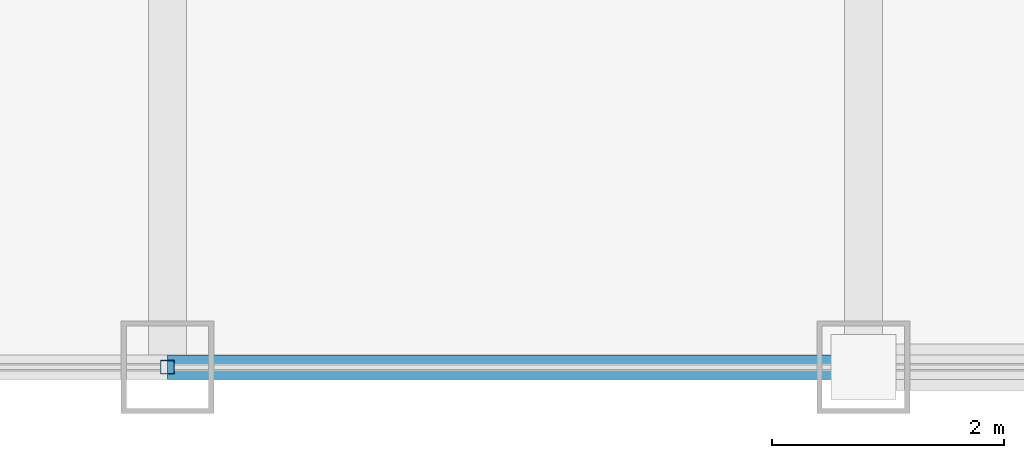
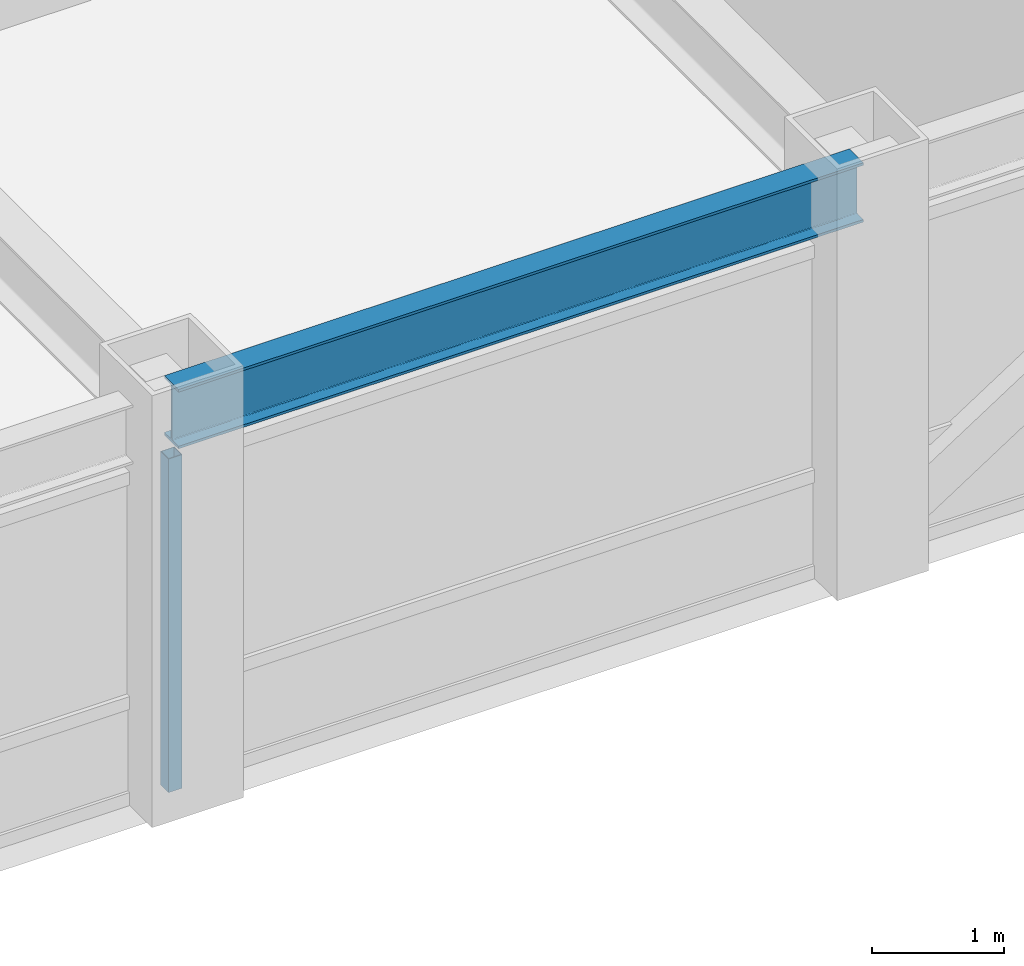
# One storey, part 4 of 28: 1 beam, 1 member, 1 element without a shape of its own.
"""IFC4 building model written with IfcOpenShell, lengths in metres."""

from ifc_helpers import new_model, si_unit, direction, frame, origin, origin_2d, place, context, subcontext, project, spatial, hollow_rectangle, i_section, extrude, source, transform, mapped, material, material_profile, profile_set, type_object, element, aggregate, save


model = new_model("IFC4")

# Units and contexts
model_context = context("Model", 3, precision=1e-05, world=origin(), true_north=direction((0.0, 1.0)))
body_context = subcontext(model_context, "Body", "Model", "MODEL_VIEW")
ifc_project = project(units=[si_unit("LENGTHUNIT", "METRE"), si_unit("AREAUNIT", "SQUARE_METRE"), si_unit("VOLUMEUNIT", "CUBIC_METRE"), si_unit("PLANEANGLEUNIT", "RADIAN"), si_unit("MASSUNIT", "GRAM", prefix="KILO")], contexts=[model_context])

# Site, building, storey
site_placement = place(None, origin())
site = spatial("IfcSite", under=ifc_project, at=site_placement, CompositionType="ELEMENT")
building_placement = place(site_placement, origin())
building = spatial("IfcBuilding", under=site, at=building_placement, Name="Khorayat Bourse Tower", CompositionType="ELEMENT")
storey_placement = place(building_placement, frame((0.0, 0.0, 334.300048828125)))
storey = spatial("IfcBuildingStorey", under=building, at=storey_placement, Name="L79", CompositionType="ELEMENT", Elevation=334.300048828125)

# Beam
ifc_material_1 = material(Name="Steel ASTM A992 Grade 50", Category="steel")
ifc_material_profile_1 = material_profile(ifc_material_1, i_section(OverallWidth=0.214111328125, OverallDepth=0.549072265625, WebThickness=0.0146484375, FlangeThickness=0.023681640625, FilletRadius=0.013916015625, at=origin_2d()), Name="W530X138")
ifc_profile_set_1 = profile_set([ifc_material_profile_1], Name="Steel ASTM A992 Grade 50")
beam_type = type_object("IfcBeamType", Name="BM-SPAN-530", PredefinedType="SPANDREL", material=ifc_profile_set_1)
shared_shape_1 = source(origin(), body_context, "Body", "SweptSolid", [
    extrude(i_section(OverallWidth=0.214111328125, OverallDepth=0.549072265625, WebThickness=0.0146484375, FlangeThickness=0.023681640625, FilletRadius=0.013916015625, at=origin_2d()), origin(), (0.0, 0.0, 1.0), 6.0),
])
beam_placement = place(storey_placement, frame((0.0, -26.0, 3.46533203125), z_axis=(1.0, 0.0, 0.0), x_axis=(0.0, 1.0, 0.0)))
element("IfcBeam", 1, at=beam_placement, inside=storey, type_object=beam_type, Name="L79 BM-SPAN-530 BM-L79-SPN-027", PredefinedType="SPANDREL", context=body_context, shape_type="MappedRepresentation", body=[
    mapped(shared_shape_1, transform((0.0, 0.0, 0.0), scale=1.0)),
])

# Curtain wall, member
ifc_material_2 = material(Name="Aluminium EN AW-6063 T6", Category="aluminium")
curtain_wall_type = type_object("IfcCurtainWallType", Name="CW-SYS-04", PredefinedType="NOTDEFINED", material=ifc_material_2)
curtain_wall_placement = place(storey_placement, origin())
curtain_wall = element("IfcCurtainWall", 2, at=curtain_wall_placement, inside=storey, type_object=curtain_wall_type, Name="L79 Curtain Wall CW-L79-S1", PredefinedType="NOTDEFINED")
ifc_material_profile_2 = material_profile(ifc_material_2, hollow_rectangle(XDim=0.1201171875, YDim=0.1201171875, WallThickness=0.0048828125, at=origin_2d()), Name="ALU 120x120x5")
ifc_profile_set_2 = profile_set([ifc_material_profile_2], Name="Aluminium EN AW-6063 T6")
member_type = type_object("IfcMemberType", Name="CWM-VERT-120", PredefinedType="MULLION", material=ifc_profile_set_2)
shared_shape_2 = source(origin(), body_context, "Body", "SweptSolid", [
    extrude(hollow_rectangle(XDim=0.1201171875, YDim=0.1201171875, WallThickness=0.0048828125, at=origin_2d()), origin(), (0.0, 0.0, 1.0), 3.08984375),
])
member_placement = place(storey_placement, frame((0.0, -26.0, 0.0), z_axis=(0.0, 0.0, 1.0), x_axis=(0.0, 1.0, 0.0)))
member = element("IfcMember", 3, at=member_placement, type_object=member_type, Name="CW-L79-S1 Vertical Mullion 2", PredefinedType="MULLION", context=body_context, shape_type="MappedRepresentation", body=[
    mapped(shared_shape_2, transform((0.0, 0.0, 0.0), scale=1.0)),
])
aggregate(curtain_wall, [member])

save(model, "model.ifc")
